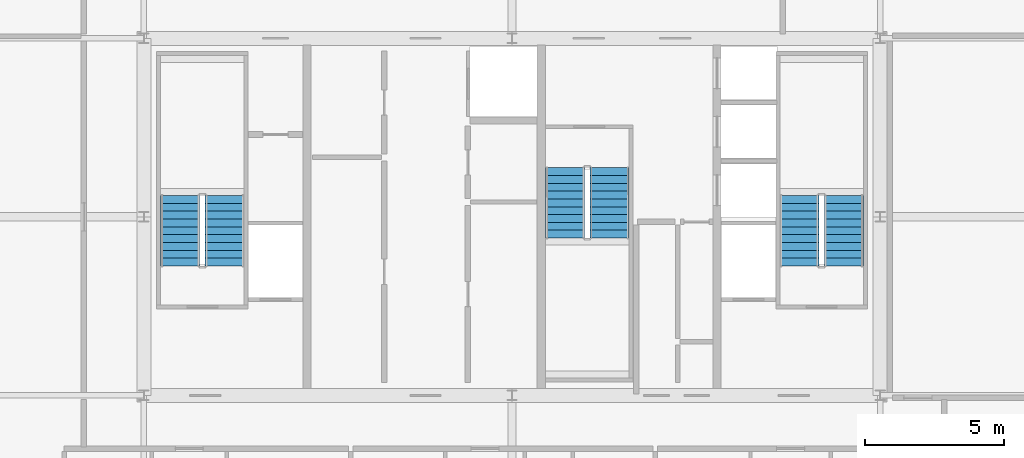
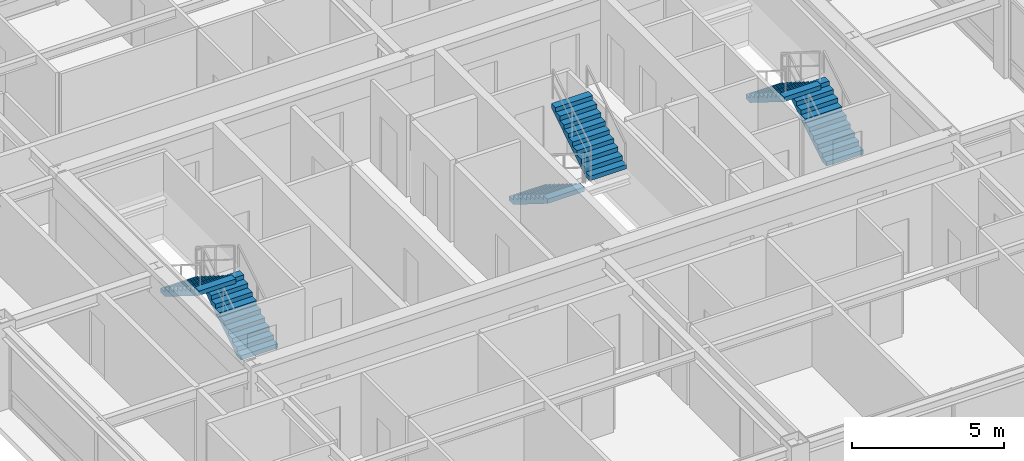
# One storey, part 34 of 35: 6 stair flights, 3 elements without a shape of their own.
"""IFC4 building model written with IfcOpenShell, lengths in metres."""

from ifc_helpers import new_model, si_unit, direction, frame, origin, place, context, subcontext, project, spatial, polyline, outline, extrude, source, transform, mapped, material, type_object, element, aggregate, save


model = new_model("IFC4")

# Units and contexts
model_context = context("Model", 3, precision=1e-05, world=origin(), true_north=direction((0.0, 1.0)))
body_context = subcontext(model_context, "Body", "Model", "MODEL_VIEW")
ifc_project = project(units=[si_unit("LENGTHUNIT", "METRE"), si_unit("AREAUNIT", "SQUARE_METRE"), si_unit("VOLUMEUNIT", "CUBIC_METRE"), si_unit("PLANEANGLEUNIT", "RADIAN"), si_unit("MASSUNIT", "GRAM", prefix="KILO"), si_unit("THERMODYNAMICTEMPERATUREUNIT", "KELVIN"), si_unit("POWERUNIT", "WATT")], contexts=[model_context])

# Site, building, storey
site_placement = place(None, origin())
site = spatial("IfcSite", under=ifc_project, at=site_placement, CompositionType="ELEMENT")
building_placement = place(site_placement, origin())
building = spatial("IfcBuilding", under=site, at=building_placement, Name="Yuzanri Waterfront Tower", CompositionType="ELEMENT")
storey_placement = place(building_placement, frame((0.0, 0.0, 311.199951171875)))
storey = spatial("IfcBuildingStorey", under=building, at=storey_placement, Name="L83", CompositionType="ELEMENT", Elevation=311.199951171875)

# Stair, stair flights
ifc_material_1 = material(Name="Concrete C40", Category="concrete")
stair_type = type_object("IfcStairType", Name="Concrete C40 Core Dogleg Exit Stair", PredefinedType="HALF_TURN_STAIR", material=ifc_material_1)
stair_1_placement = place(storey_placement, origin())
stair_1 = element("IfcStair", 1, at=stair_1_placement, inside=storey, type_object=stair_type, Name="L83 Smoke-Proof Core Stair ST-01", PredefinedType="HALF_TURN_STAIR")
ifc_material_2 = material(Name="Concrete C40", Category="concrete")
stair_flight_type = type_object("IfcStairFlightType", Name="Concrete C40 Precast Stair Flight 1380", PredefinedType="STRAIGHT", material=ifc_material_2)
shared_shape = source(origin(), body_context, "Body", "SweptSolid", [
    extrude(outline(polyline([(0.0, 0.0), (0.0, 0.175048828125), (0.280029296875, 0.175048828125), (0.280029296875, 0.35009765625), (0.56005859375, 0.35009765625), (0.56005859375, 0.52490234375), (0.840087890625, 0.52490234375), (0.840087890625, 0.699951171875), (1.1201171875, 0.699951171875), (1.1201171875, 0.875), (1.39990234375, 0.875), (1.39990234375, 1.050048828125), (1.679931640625, 1.050048828125), (1.679931640625, 1.22509765625), (1.9599609375, 1.22509765625), (1.9599609375, 1.39990234375), (2.239990234375, 1.39990234375), (2.239990234375, 1.574951171875), (2.52001953125, 1.574951171875), (2.52001953125, 1.75), (2.52001953125, 1.398193359375), (0.28271484375, 0.0), (0.0, 0.0)])), frame((0.0, 0.699951171875, 0.0), z_axis=(0.0, -1.0, 0.0), x_axis=(1.0, 0.0, 0.0)), (0.0, 0.0, 1.0), 1.39990234375),
])
stair_flight_1_placement = place(storey_placement, frame((26.699951171875, 24.0400390625, 0.0), z_axis=(0.0, 0.0, 1.0), x_axis=(0.0, 1.0, 0.0)))
stair_flight_1 = element("IfcStairFlight", 2, at=stair_flight_1_placement, type_object=stair_flight_type, Name="ST-01 flight 1", NumberOfRisers=10, NumberOfTreads=9, PredefinedType="STRAIGHT", RiserHeight=0.175, TreadLength=0.28, context=body_context, shape_type="MappedRepresentation", body=[
    mapped(shared_shape, transform((0.0, 0.0, 0.0), scale=1.0)),
])
stair_flight_2_placement = place(storey_placement, frame((25.10009765625, 26.56005859375, 1.75), z_axis=(0.0, 0.0, 1.0), x_axis=(0.0, -1.0, 0.0)))
stair_flight_2 = element("IfcStairFlight", 3, at=stair_flight_2_placement, type_object=stair_flight_type, Name="ST-01 flight 2", NumberOfRisers=10, NumberOfTreads=9, PredefinedType="STRAIGHT", RiserHeight=0.175, TreadLength=0.28, context=body_context, shape_type="MappedRepresentation", body=[
    mapped(shared_shape, transform((0.0, 0.0, 0.0), scale=1.0)),
])
aggregate(stair_1, [stair_flight_1, stair_flight_2])

stair_2_placement = place(storey_placement, origin())
stair_2 = element("IfcStair", 4, at=stair_2_placement, inside=storey, type_object=stair_type, Name="L83 Smoke-Proof Core Stair ST-02", PredefinedType="HALF_TURN_STAIR")
stair_flight_3_placement = place(storey_placement, frame((48.89990234375, 24.0400390625, 0.0), z_axis=(0.0, 0.0, 1.0), x_axis=(0.0, 1.0, 0.0)))
stair_flight_3 = element("IfcStairFlight", 5, at=stair_flight_3_placement, type_object=stair_flight_type, Name="ST-02 flight 1", NumberOfRisers=10, NumberOfTreads=9, PredefinedType="STRAIGHT", RiserHeight=0.175, TreadLength=0.28, context=body_context, shape_type="MappedRepresentation", body=[
    mapped(shared_shape, transform((0.0, 0.0, 0.0), scale=1.0)),
])
stair_flight_4_placement = place(storey_placement, frame((47.300048828125, 26.56005859375, 1.75), z_axis=(0.0, 0.0, 1.0), x_axis=(0.0, -1.0, 0.0)))
stair_flight_4 = element("IfcStairFlight", 6, at=stair_flight_4_placement, type_object=stair_flight_type, Name="ST-02 flight 2", NumberOfRisers=10, NumberOfTreads=9, PredefinedType="STRAIGHT", RiserHeight=0.175, TreadLength=0.28, context=body_context, shape_type="MappedRepresentation", body=[
    mapped(shared_shape, transform((0.0, 0.0, 0.0), scale=1.0)),
])
aggregate(stair_2, [stair_flight_3, stair_flight_4])

stair_3_placement = place(storey_placement, origin())
stair_3 = element("IfcStair", 7, at=stair_3_placement, inside=storey, type_object=stair_type, Name="L83 Smoke-Proof Core Stair ST-03", PredefinedType="HALF_TURN_STAIR")
stair_flight_5_placement = place(storey_placement, frame((38.89990234375, 27.56005859375, 0.0), z_axis=(0.0, 0.0, 1.0), x_axis=(0.0, -1.0, 0.0)))
stair_flight_5 = element("IfcStairFlight", 8, at=stair_flight_5_placement, type_object=stair_flight_type, Name="ST-03 flight 1", NumberOfRisers=10, NumberOfTreads=9, PredefinedType="STRAIGHT", RiserHeight=0.175, TreadLength=0.28, context=body_context, shape_type="MappedRepresentation", body=[
    mapped(shared_shape, transform((0.0, 0.0, 0.0), scale=1.0)),
])
stair_flight_6_placement = place(storey_placement, frame((40.5, 25.0400390625, 1.75), z_axis=(0.0, 0.0, 1.0), x_axis=(0.0, 1.0, 0.0)))
stair_flight_6 = element("IfcStairFlight", 9, at=stair_flight_6_placement, type_object=stair_flight_type, Name="ST-03 flight 2", NumberOfRisers=10, NumberOfTreads=9, PredefinedType="STRAIGHT", RiserHeight=0.175, TreadLength=0.28, context=body_context, shape_type="MappedRepresentation", body=[
    mapped(shared_shape, transform((0.0, 0.0, 0.0), scale=1.0)),
])
aggregate(stair_3, [stair_flight_5, stair_flight_6])

save(model, "model.ifc")
